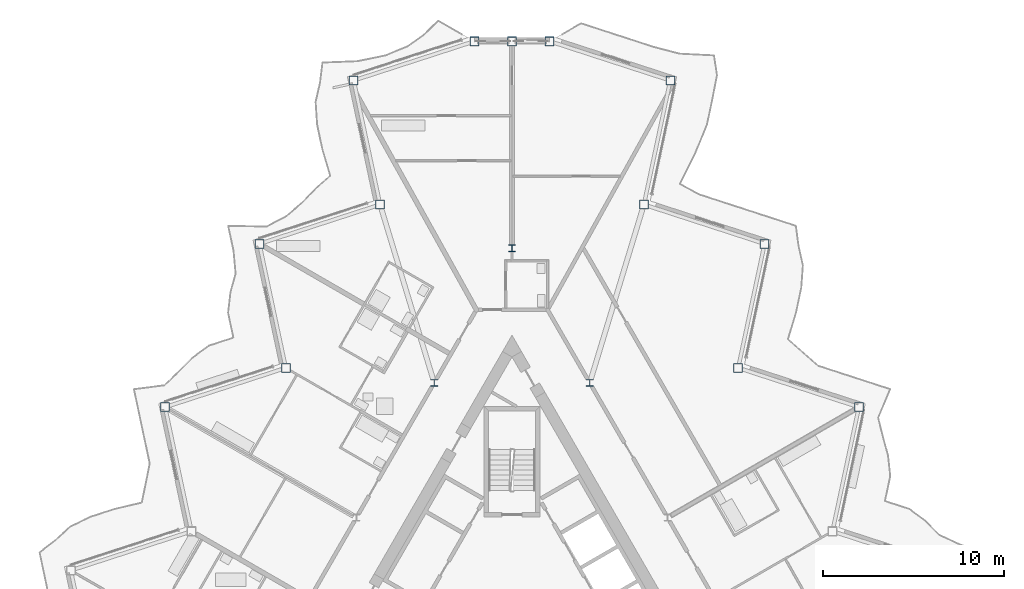
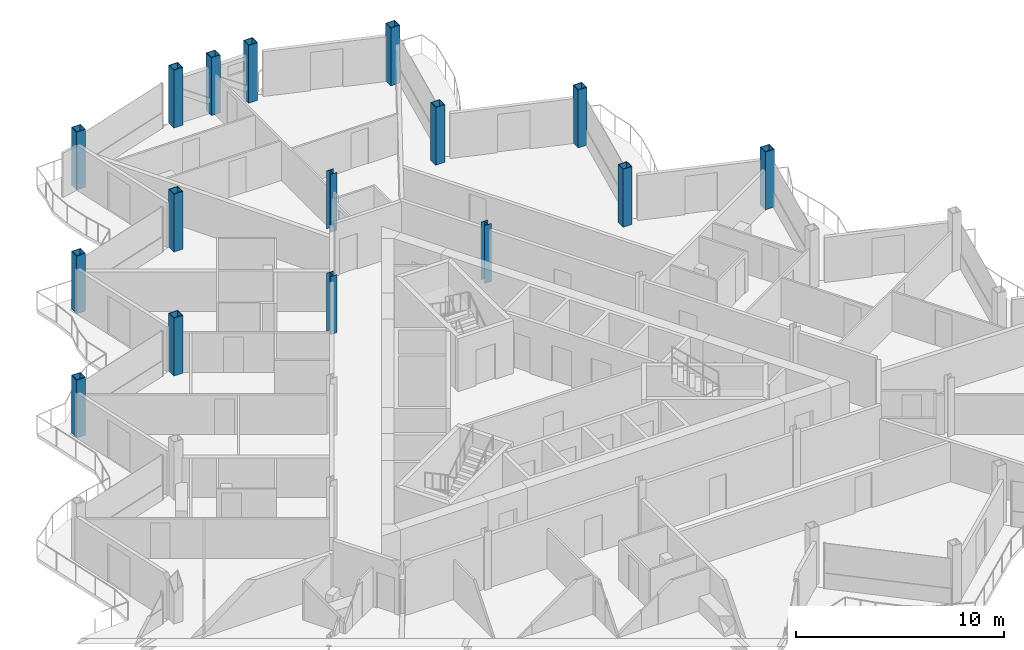
# One storey, part 3 of 26: 16 columns.
"""IFC4 building model written with IfcOpenShell, lengths in metres."""

from ifc_helpers import new_model, si_unit, direction, frame, origin, origin_2d, place, context, subcontext, project, spatial, hollow_rectangle, i_section, extrude, material, material_profile, profile_set, type_object, element, save


model = new_model("IFC4")

# Units and contexts
model_context = context("Model", 3, precision=1e-05, world=origin(), true_north=direction((0.0, 1.0)))
body_context = subcontext(model_context, "Body", "Model", "MODEL_VIEW")
ifc_project = project(units=[si_unit("LENGTHUNIT", "METRE"), si_unit("AREAUNIT", "SQUARE_METRE"), si_unit("VOLUMEUNIT", "CUBIC_METRE"), si_unit("PLANEANGLEUNIT", "RADIAN"), si_unit("MASSUNIT", "GRAM", prefix="KILO")], contexts=[model_context])

# Site, building, storey
site_placement = place(None, origin())
site = spatial("IfcSite", under=ifc_project, at=site_placement, CompositionType="ELEMENT")
building_placement = place(site_placement, origin())
building = spatial("IfcBuilding", under=site, at=building_placement, Name="Cormorant Prow Tower", CompositionType="ELEMENT")
storey_placement = place(building_placement, frame((0.0, 0.0, 384.800048828125)))
storey = spatial("IfcBuildingStorey", under=building, at=storey_placement, Name="L87", CompositionType="ELEMENT", Elevation=384.800048828125)

# Columns
ifc_material_1 = material(Name="Structural steel ASTM A572 Gr 50", Category="steel")
ifc_material_profile_1 = material_profile(ifc_material_1, hollow_rectangle(XDim=0.5, YDim=0.5, WallThickness=0.030029296875, at=origin_2d()), Name="Box 500x500x30")
ifc_profile_set_1 = profile_set([ifc_material_profile_1], Name="Structural steel ASTM A572 Gr 50")
column_type_1 = type_object("IfcColumnType", Name="Perimeter box column 500x500x30", PredefinedType="COLUMN", material=ifc_profile_set_1)
for number, where, z_axis, x_axis, name in (
    (1, (19.128662109375, 11.0439453125, 0.0), (0.0, 0.0, 1.0), (1.0, 0.0, 0.0), "Perimeter column C7 at ENE05 L87"),
    (2, (12.473876953125, 13.206298828125, 0.0), (0.0, 0.0, 1.0), (1.0, 0.0, 0.0), "Perimeter column C7 at ENE06 L87"),
    (3, (13.9287109375, 20.050537109375, 0.0), (0.0, 0.0, 1.0), (1.0, 0.0, 0.0), "Perimeter column C7 at ENE07 L87"),
    (4, (7.273681640625, 22.212890625, 0.0), (0.0, 0.0, 1.0), (1.0, 0.0, 0.0), "Perimeter column C7 at ENE08 L87"),
    (5, (8.728515625, 29.05712890625, 0.0), (0.0, 0.0, 1.0), (1.0, 0.0, 0.0), "Perimeter column C7 at ENE09 L87"),
    (6, (2.07373046875, 31.219482421875, 0.0), (0.0, 0.0, 1.0), (1.0, 0.0, 0.0), "Perimeter column C7 at N00 L87"),
    (7, (0.0, 31.219482421875, 0.0), (0.0, 0.0, 1.0), (1.0, 0.0, 0.0), "Perimeter column C7 at N01 L87"),
    (8, (-2.07373046875, 31.219482421875, 0.0), (0.0, 0.0, 1.0), (1.0, 0.0, 0.0), "Perimeter column C7 at WNW00 L87"),
    (9, (-8.728515625, 29.05712890625, 0.0), (0.0, 0.0, 1.0), (1.0, 0.0, 0.0), "Perimeter column C7 at WNW01 L87"),
    (10, (-7.273681640625, 22.212890625, 0.0), (0.0, 0.0, 1.0), (1.0, 0.0, 0.0), "Perimeter column C7 at WNW02 L87"),
    (11, (-13.9287109375, 20.050537109375, 0.0), (0.0, 0.0, 1.0), (1.0, 0.0, 0.0), "Perimeter column C7 at WNW03 L87"),
    (12, (-12.473876953125, 13.206298828125, 0.0), (0.0, 0.0, 1.0), (1.0, 0.0, 0.0), "Perimeter column C7 at WNW04 L87"),
    (13, (-19.128662109375, 11.0439453125, 0.0), (0.0, 0.0, 1.0), (1.0, 0.0, 0.0), "Perimeter column C7 at WNW05 L87"),
):
    element("IfcColumn", number, at=place(storey_placement, frame(where, z_axis=z_axis, x_axis=x_axis)), inside=storey, type_object=column_type_1, Name=name, PredefinedType="COLUMN", context=body_context, shape_type="SweptSolid", body=[
        extrude(hollow_rectangle(XDim=0.5, YDim=0.5, WallThickness=0.030029296875, at=origin_2d()), origin(), (0.0, 0.0, 1.0), 3.39990234375),
    ])
ifc_material_2 = material(Name="Structural steel ASTM A992 Gr 50", Category="steel")
ifc_material_profile_2 = material_profile(ifc_material_2, i_section(OverallWidth=0.3740234375, OverallDepth=0.372314453125, WebThickness=0.016357421875, FlangeThickness=0.026123046875, at=origin_2d()), Name="W14x132")
ifc_profile_set_2 = profile_set([ifc_material_profile_2], Name="Structural steel ASTM A992 Gr 50")
column_type_2 = type_object("IfcColumnType", Name="Ring column W14x132", PredefinedType="COLUMN", material=ifc_profile_set_2)
for number, where, z_axis, x_axis, name in (
    (14, (0.0, 19.81103515625, 0.0), (0.0, 0.0, 1.0), (1.0, 0.0, 0.0), "Ring column 1 L87"),
    (15, (-4.289306640625, 12.3818359375, 0.0), (0.0, 0.0, 1.0), (1.0, 0.0, 0.0), "Ring column 2 L87"),
    (16, (4.289306640625, 12.3818359375, 0.0), (0.0, 0.0, 1.0), (1.0, 0.0, 0.0), "Ring column 12 L87"),
):
    element("IfcColumn", number, at=place(storey_placement, frame(where, z_axis=z_axis, x_axis=x_axis)), inside=storey, type_object=column_type_2, Name=name, PredefinedType="COLUMN", context=body_context, shape_type="SweptSolid", body=[
        extrude(i_section(OverallWidth=0.3740234375, OverallDepth=0.372314453125, WebThickness=0.016357421875, FlangeThickness=0.026123046875, at=origin_2d()), origin(), (0.0, 0.0, 1.0), 3.39990234375),
    ])

save(model, "model.ifc")
